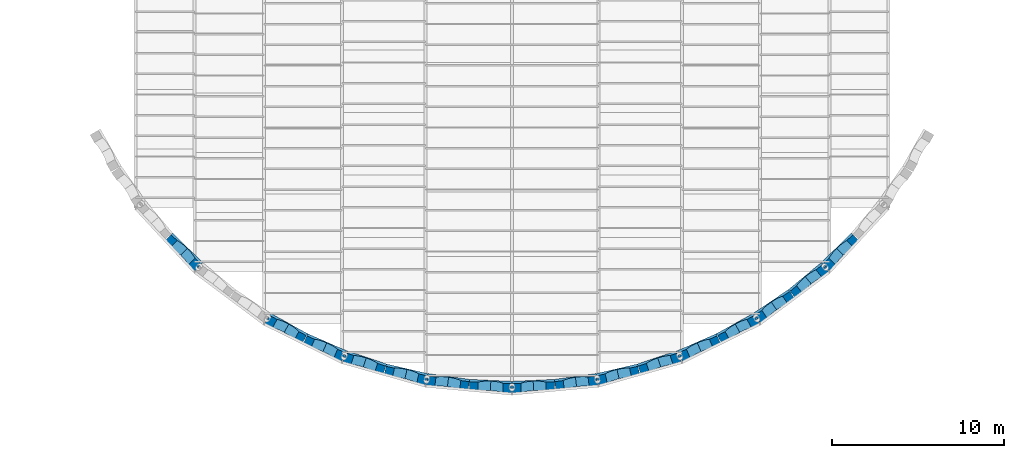
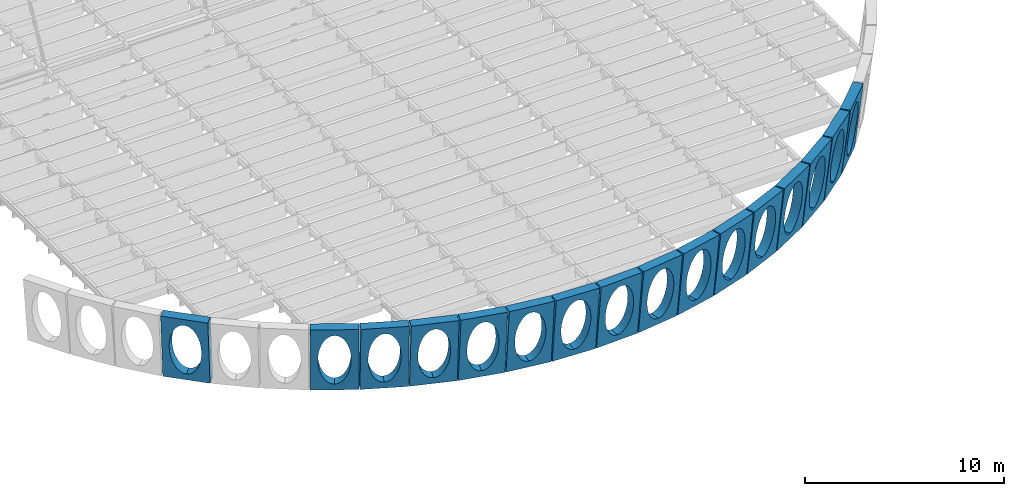
# One storey, part 27 of 47: 16 walls, 16 openings.
"""IFC4 building model written with IfcOpenShell, lengths in metres."""

from ifc_helpers import new_model, si_unit, direction, frame, origin, place, context, subcontext, project, spatial, polyline, outline, extrude, material, layer, layer_set, type_object, element, save


model = new_model("IFC4")

# Units and contexts
model_context = context("Model", 3, precision=1e-05, world=origin(), true_north=direction((0.0, 1.0)))
body_context = subcontext(model_context, "Body", "Model", "MODEL_VIEW")
ifc_project = project(units=[si_unit("LENGTHUNIT", "METRE"), si_unit("AREAUNIT", "SQUARE_METRE"), si_unit("VOLUMEUNIT", "CUBIC_METRE"), si_unit("PLANEANGLEUNIT", "RADIAN"), si_unit("MASSUNIT", "GRAM", prefix="KILO")], contexts=[model_context])

# Site, building, storey
site_placement = place(None, origin())
site = spatial("IfcSite", under=ifc_project, at=site_placement, CompositionType="ELEMENT")
building_placement = place(site_placement, origin())
building = spatial("IfcBuilding", under=site, at=building_placement, Name="Mawjan Specialist Oncology Clinic", CompositionType="ELEMENT")
storey_placement = place(building_placement, frame((0.0, 0.0, 9.5)))
storey = spatial("IfcBuildingStorey", under=building, at=storey_placement, Name="L02", CompositionType="ELEMENT", Elevation=9.5)

# Wall, opening
ifc_material = material(Name="Concrete C45/55", Category="concrete")
ifc_layer = layer(ifc_material, 0.550048828125, Name="Concrete C45/55", Category="concrete")
ifc_layer_set = layer_set([ifc_layer], Name="Concrete C45/55")
wall_type = type_object("IfcWallType", Name="EW-ARC550", PredefinedType="SOLIDWALL", material=ifc_layer_set)
wall_1_placement = place(storey_placement, frame((65.86767578125, 8.884521484375, 0.0), z_axis=(0.0, 0.0, 1.0), x_axis=(-0.711724189185, 0.702459022669, 0.0)))
wall_1 = element("IfcWall", 1, at=wall_1_placement, inside=storey, type_object=wall_type, Name="Curved Stone-Arc Wall L02 Chord 04", PredefinedType="SOLIDWALL", context=body_context, shape_type="SweptSolid", body=[
    extrude(outline(polyline([(-0.27490234375, 0.0), (0.27490234375, 0.0), (0.73095703125, 4.0), (0.1806640625, 4.0), (-0.27490234375, 0.0)])), frame((0.0, 0.0, 0.0), z_axis=(1.0, 0.0, 0.0), x_axis=(0.0, 1.0, 0.0)), (0.0, 0.0, 1.0), 2.45068359375),
])
opening_1_placement = place(wall_1_placement, origin())
element("IfcOpeningElement", 2, at=opening_1_placement, cuts=wall_1, Name="Elliptical sky opening 1", PredefinedType="OPENING", context=body_context, shape_type="SweptSolid", body=[
    extrude(outline(polyline([(2.065185546875, 2.0), (2.049072265625, 2.315185546875), (2.00146484375, 2.618408203125), (1.923828125, 2.897705078125), (1.8193359375, 3.142578125), (1.69189453125, 3.343505859375), (1.546875, 3.492919921875), (1.38916015625, 3.5849609375), (1.225341796875, 3.615966796875), (1.0615234375, 3.5849609375), (0.90380859375, 3.492919921875), (0.758544921875, 3.343505859375), (0.63134765625, 3.142578125), (0.52685546875, 2.897705078125), (0.44921875, 2.618408203125), (0.4013671875, 2.315185546875), (0.38525390625, 2.0), (0.4013671875, 1.684814453125), (0.44921875, 1.381591796875), (0.52685546875, 1.102294921875), (0.63134765625, 0.857421875), (0.758544921875, 0.656494140625), (0.90380859375, 0.507080078125), (1.0615234375, 0.4150390625), (1.225341796875, 0.384033203125), (1.38916015625, 0.4150390625), (1.546875, 0.507080078125), (1.69189453125, 0.656494140625), (1.8193359375, 0.857421875), (1.923828125, 1.102294921875), (2.00146484375, 1.381591796875), (2.049072265625, 1.684814453125), (2.065185546875, 2.0)])), frame((0.0, 0.750732421875, 0.0), z_axis=(0.0, -1.0, 0.0), x_axis=(1.0, 0.0, 0.0)), (0.0, 0.0, 1.0), 1.0458984375),
])

wall_2_placement = place(storey_placement, frame((72.008544921875, 4.7177734375, 0.0), z_axis=(0.0, 0.0, 1.0), x_axis=(-0.87568954387, 0.482874541426, 0.0)))
wall_2 = element("IfcWall", 3, at=wall_2_placement, inside=storey, type_object=wall_type, Name="Curved Stone-Arc Wall L02 Chord 07", PredefinedType="SOLIDWALL", context=body_context, shape_type="SweptSolid", body=[
    extrude(outline(polyline([(-0.27490234375, 0.0), (0.27490234375, 0.0), (0.73095703125, 4.0), (0.1806640625, 4.0), (-0.27490234375, 0.0)])), frame((0.0, 0.0, 0.0), z_axis=(1.0, 0.0, 0.0), x_axis=(0.0, 1.0, 0.0)), (0.0, 0.0, 1.0), 2.45068359375),
])
opening_2_placement = place(wall_2_placement, origin())
element("IfcOpeningElement", 4, at=opening_2_placement, cuts=wall_2, Name="Elliptical sky opening 1", PredefinedType="OPENING", context=body_context, shape_type="SweptSolid", body=[
    extrude(outline(polyline([(2.065185546875, 2.0), (2.049072265625, 2.315185546875), (2.00146484375, 2.618408203125), (1.923828125, 2.897705078125), (1.8193359375, 3.142578125), (1.69189453125, 3.343505859375), (1.546875, 3.492919921875), (1.38916015625, 3.5849609375), (1.225341796875, 3.615966796875), (1.0615234375, 3.5849609375), (0.90380859375, 3.492919921875), (0.758544921875, 3.343505859375), (0.63134765625, 3.142578125), (0.52685546875, 2.897705078125), (0.44921875, 2.618408203125), (0.4013671875, 2.315185546875), (0.38525390625, 2.0), (0.4013671875, 1.684814453125), (0.44921875, 1.381591796875), (0.52685546875, 1.102294921875), (0.63134765625, 0.857421875), (0.758544921875, 0.656494140625), (0.90380859375, 0.507080078125), (1.0615234375, 0.4150390625), (1.225341796875, 0.384033203125), (1.38916015625, 0.4150390625), (1.546875, 0.507080078125), (1.69189453125, 0.656494140625), (1.8193359375, 0.857421875), (1.923828125, 1.102294921875), (2.00146484375, 1.381591796875), (2.049072265625, 1.684814453125), (2.065185546875, 2.0)])), frame((0.0, 0.750732421875, 0.0), z_axis=(0.0, -1.0, 0.0), x_axis=(1.0, 0.0, 0.0)), (0.0, 0.0, 1.0), 1.0458984375),
])

wall_3_placement = place(storey_placement, frame((74.28076171875, 3.722412109375, 0.0), z_axis=(0.0, 0.0, 1.0), x_axis=(-0.916182482444, 0.400761349013, 0.0)))
wall_3 = element("IfcWall", 5, at=wall_3_placement, inside=storey, type_object=wall_type, Name="Curved Stone-Arc Wall L02 Chord 08", PredefinedType="SOLIDWALL", context=body_context, shape_type="SweptSolid", body=[
    extrude(outline(polyline([(-0.27490234375, 0.0), (0.27490234375, 0.0), (0.73095703125, 4.0), (0.1806640625, 4.0), (-0.27490234375, 0.0)])), frame((0.0, 0.0, 0.0), z_axis=(1.0, 0.0, 0.0), x_axis=(0.0, 1.0, 0.0)), (0.0, 0.0, 1.0), 2.45068359375),
])
opening_3_placement = place(wall_3_placement, origin())
element("IfcOpeningElement", 6, at=opening_3_placement, cuts=wall_3, Name="Elliptical sky opening 1", PredefinedType="OPENING", context=body_context, shape_type="SweptSolid", body=[
    extrude(outline(polyline([(2.065185546875, 2.0), (2.049072265625, 2.315185546875), (2.00146484375, 2.618408203125), (1.923828125, 2.897705078125), (1.8193359375, 3.142578125), (1.69189453125, 3.343505859375), (1.546875, 3.492919921875), (1.38916015625, 3.5849609375), (1.225341796875, 3.615966796875), (1.0615234375, 3.5849609375), (0.90380859375, 3.492919921875), (0.758544921875, 3.343505859375), (0.63134765625, 3.142578125), (0.52685546875, 2.897705078125), (0.44921875, 2.618408203125), (0.4013671875, 2.315185546875), (0.38525390625, 2.0), (0.4013671875, 1.684814453125), (0.44921875, 1.381591796875), (0.52685546875, 1.102294921875), (0.63134765625, 0.857421875), (0.758544921875, 0.656494140625), (0.90380859375, 0.507080078125), (1.0615234375, 0.4150390625), (1.225341796875, 0.384033203125), (1.38916015625, 0.4150390625), (1.546875, 0.507080078125), (1.69189453125, 0.656494140625), (1.8193359375, 0.857421875), (1.923828125, 1.102294921875), (2.00146484375, 1.381591796875), (2.049072265625, 1.684814453125), (2.065185546875, 2.0)])), frame((0.0, 0.750732421875, 0.0), z_axis=(0.0, -1.0, 0.0), x_axis=(1.0, 0.0, 0.0)), (0.0, 0.0, 1.0), 1.0458984375),
])

wall_4_placement = place(storey_placement, frame((76.634521484375, 2.939208984375, 0.0), z_axis=(0.0, 0.0, 1.0), x_axis=(-0.949021476584, 0.315211416325, 0.0)))
wall_4 = element("IfcWall", 7, at=wall_4_placement, inside=storey, type_object=wall_type, Name="Curved Stone-Arc Wall L02 Chord 09", PredefinedType="SOLIDWALL", context=body_context, shape_type="SweptSolid", body=[
    extrude(outline(polyline([(-0.27490234375, 0.0), (0.27490234375, 0.0), (0.73095703125, 4.0), (0.1806640625, 4.0), (-0.27490234375, 0.0)])), frame((0.0, 0.0, 0.0), z_axis=(1.0, 0.0, 0.0), x_axis=(0.0, 1.0, 0.0)), (0.0, 0.0, 1.0), 2.45068359375),
])
opening_4_placement = place(wall_4_placement, origin())
element("IfcOpeningElement", 8, at=opening_4_placement, cuts=wall_4, Name="Elliptical sky opening 1", PredefinedType="OPENING", context=body_context, shape_type="SweptSolid", body=[
    extrude(outline(polyline([(2.065185546875, 2.0), (2.049072265625, 2.315185546875), (2.00146484375, 2.618408203125), (1.923828125, 2.897705078125), (1.8193359375, 3.142578125), (1.69189453125, 3.343505859375), (1.546875, 3.492919921875), (1.38916015625, 3.5849609375), (1.225341796875, 3.615966796875), (1.0615234375, 3.5849609375), (0.90380859375, 3.492919921875), (0.758544921875, 3.343505859375), (0.63134765625, 3.142578125), (0.52685546875, 2.897705078125), (0.44921875, 2.618408203125), (0.4013671875, 2.315185546875), (0.38525390625, 2.0), (0.4013671875, 1.684814453125), (0.44921875, 1.381591796875), (0.52685546875, 1.102294921875), (0.63134765625, 0.857421875), (0.758544921875, 0.656494140625), (0.90380859375, 0.507080078125), (1.0615234375, 0.4150390625), (1.225341796875, 0.384033203125), (1.38916015625, 0.4150390625), (1.546875, 0.507080078125), (1.69189453125, 0.656494140625), (1.8193359375, 0.857421875), (1.923828125, 1.102294921875), (2.00146484375, 1.381591796875), (2.049072265625, 1.684814453125), (2.065185546875, 2.0)])), frame((0.0, 0.750732421875, 0.0), z_axis=(0.0, -1.0, 0.0), x_axis=(1.0, 0.0, 0.0)), (0.0, 0.0, 1.0), 1.0458984375),
])

wall_5_placement = place(storey_placement, frame((79.050048828125, 2.37451171875, 0.0), z_axis=(0.0, 0.0, 1.0), x_axis=(-0.973886748811, 0.227034359712, 0.0)))
wall_5 = element("IfcWall", 9, at=wall_5_placement, inside=storey, type_object=wall_type, Name="Curved Stone-Arc Wall L02 Chord 10", PredefinedType="SOLIDWALL", context=body_context, shape_type="SweptSolid", body=[
    extrude(outline(polyline([(-0.27490234375, 0.0), (0.27490234375, 0.0), (0.73095703125, 4.0), (0.1806640625, 4.0), (-0.27490234375, 0.0)])), frame((0.0, 0.0, 0.0), z_axis=(1.0, 0.0, 0.0), x_axis=(0.0, 1.0, 0.0)), (0.0, 0.0, 1.0), 2.45068359375),
])
opening_5_placement = place(wall_5_placement, origin())
element("IfcOpeningElement", 10, at=opening_5_placement, cuts=wall_5, Name="Elliptical sky opening 1", PredefinedType="OPENING", context=body_context, shape_type="SweptSolid", body=[
    extrude(outline(polyline([(2.065185546875, 2.0), (2.049072265625, 2.315185546875), (2.00146484375, 2.618408203125), (1.923828125, 2.897705078125), (1.8193359375, 3.142578125), (1.69189453125, 3.343505859375), (1.546875, 3.492919921875), (1.38916015625, 3.5849609375), (1.225341796875, 3.615966796875), (1.0615234375, 3.5849609375), (0.90380859375, 3.492919921875), (0.758544921875, 3.343505859375), (0.63134765625, 3.142578125), (0.52685546875, 2.897705078125), (0.44921875, 2.618408203125), (0.4013671875, 2.315185546875), (0.38525390625, 2.0), (0.4013671875, 1.684814453125), (0.44921875, 1.381591796875), (0.52685546875, 1.102294921875), (0.63134765625, 0.857421875), (0.758544921875, 0.656494140625), (0.90380859375, 0.507080078125), (1.0615234375, 0.4150390625), (1.225341796875, 0.384033203125), (1.38916015625, 0.4150390625), (1.546875, 0.507080078125), (1.69189453125, 0.656494140625), (1.8193359375, 0.857421875), (1.923828125, 1.102294921875), (2.00146484375, 1.381591796875), (2.049072265625, 1.684814453125), (2.065185546875, 2.0)])), frame((0.0, 0.750732421875, 0.0), z_axis=(0.0, -1.0, 0.0), x_axis=(1.0, 0.0, 0.0)), (0.0, 0.0, 1.0), 1.0458984375),
])

wall_6_placement = place(storey_placement, frame((81.507080078125, 2.033203125, 0.0), z_axis=(0.0, 0.0, 1.0), x_axis=(-0.990559650793, 0.137082377501, 0.0)))
wall_6 = element("IfcWall", 11, at=wall_6_placement, inside=storey, type_object=wall_type, Name="Curved Stone-Arc Wall L02 Chord 11", PredefinedType="SOLIDWALL", context=body_context, shape_type="SweptSolid", body=[
    extrude(outline(polyline([(-0.27490234375, 0.0), (0.27490234375, 0.0), (0.73095703125, 4.0), (0.1806640625, 4.0), (-0.27490234375, 0.0)])), frame((0.0, 0.0, 0.0), z_axis=(1.0, 0.0, 0.0), x_axis=(0.0, 1.0, 0.0)), (0.0, 0.0, 1.0), 2.45068359375),
])
opening_6_placement = place(wall_6_placement, origin())
element("IfcOpeningElement", 12, at=opening_6_placement, cuts=wall_6, Name="Elliptical sky opening 1", PredefinedType="OPENING", context=body_context, shape_type="SweptSolid", body=[
    extrude(outline(polyline([(2.065185546875, 2.0), (2.049072265625, 2.315185546875), (2.00146484375, 2.618408203125), (1.923828125, 2.897705078125), (1.8193359375, 3.142578125), (1.69189453125, 3.343505859375), (1.546875, 3.492919921875), (1.38916015625, 3.5849609375), (1.225341796875, 3.615966796875), (1.0615234375, 3.5849609375), (0.90380859375, 3.492919921875), (0.758544921875, 3.343505859375), (0.63134765625, 3.142578125), (0.52685546875, 2.897705078125), (0.44921875, 2.618408203125), (0.4013671875, 2.315185546875), (0.38525390625, 2.0), (0.4013671875, 1.684814453125), (0.44921875, 1.381591796875), (0.52685546875, 1.102294921875), (0.63134765625, 0.857421875), (0.758544921875, 0.656494140625), (0.90380859375, 0.507080078125), (1.0615234375, 0.4150390625), (1.225341796875, 0.384033203125), (1.38916015625, 0.4150390625), (1.546875, 0.507080078125), (1.69189453125, 0.656494140625), (1.8193359375, 0.857421875), (1.923828125, 1.102294921875), (2.00146484375, 1.381591796875), (2.049072265625, 1.684814453125), (2.065185546875, 2.0)])), frame((0.0, 0.750732421875, 0.0), z_axis=(0.0, -1.0, 0.0), x_axis=(1.0, 0.0, 0.0)), (0.0, 0.0, 1.0), 1.0458984375),
])

wall_7_placement = place(storey_placement, frame((83.985107421875, 1.918212890625, 0.0), z_axis=(0.0, 0.0, 1.0), x_axis=(-0.998949557474, 0.045823374196, 0.0)))
wall_7 = element("IfcWall", 13, at=wall_7_placement, inside=storey, type_object=wall_type, Name="Curved Stone-Arc Wall L02 Chord 12", PredefinedType="SOLIDWALL", context=body_context, shape_type="SweptSolid", body=[
    extrude(outline(polyline([(-0.27490234375, 0.0), (0.27490234375, 0.0), (0.73095703125, 4.0), (0.1806640625, 4.0), (-0.27490234375, 0.0)])), frame((0.0, 0.0, 0.0), z_axis=(1.0, 0.0, 0.0), x_axis=(0.0, 1.0, 0.0)), (0.0, 0.0, 1.0), 2.450927734375),
])
opening_7_placement = place(wall_7_placement, origin())
element("IfcOpeningElement", 14, at=opening_7_placement, cuts=wall_7, Name="Elliptical sky opening 1", PredefinedType="OPENING", context=body_context, shape_type="SweptSolid", body=[
    extrude(outline(polyline([(2.065185546875, 2.0), (2.049072265625, 2.315185546875), (2.00146484375, 2.618408203125), (1.923828125, 2.897705078125), (1.8193359375, 3.142578125), (1.69189453125, 3.343505859375), (1.546875, 3.492919921875), (1.38916015625, 3.5849609375), (1.225341796875, 3.615966796875), (1.0615234375, 3.5849609375), (0.90380859375, 3.492919921875), (0.758544921875, 3.343505859375), (0.63134765625, 3.142578125), (0.52685546875, 2.897705078125), (0.44921875, 2.618408203125), (0.4013671875, 2.315185546875), (0.38525390625, 2.0), (0.4013671875, 1.684814453125), (0.44921875, 1.381591796875), (0.52685546875, 1.102294921875), (0.63134765625, 0.857421875), (0.758544921875, 0.656494140625), (0.90380859375, 0.507080078125), (1.0615234375, 0.4150390625), (1.225341796875, 0.384033203125), (1.38916015625, 0.4150390625), (1.546875, 0.507080078125), (1.69189453125, 0.656494140625), (1.8193359375, 0.857421875), (1.923828125, 1.102294921875), (2.00146484375, 1.381591796875), (2.049072265625, 1.684814453125), (2.065185546875, 2.0)])), frame((0.0, 0.750732421875, 0.0), z_axis=(0.0, -1.0, 0.0), x_axis=(1.0, 0.0, 0.0)), (0.0, 0.0, 1.0), 1.0458984375),
])

wall_8_placement = place(storey_placement, frame((86.463134765625, 2.030517578125, 0.0), z_axis=(0.0, 0.0, 1.0), x_axis=(-0.998949557474, -0.045823374196, 0.0)))
wall_8 = element("IfcWall", 15, at=wall_8_placement, inside=storey, type_object=wall_type, Name="Curved Stone-Arc Wall L02 Chord 13", PredefinedType="SOLIDWALL", context=body_context, shape_type="SweptSolid", body=[
    extrude(outline(polyline([(-0.27490234375, 0.0), (0.27490234375, 0.0), (0.73095703125, 4.0), (0.1806640625, 4.0), (-0.27490234375, 0.0)])), frame((0.0, 0.0, 0.0), z_axis=(1.0, 0.0, 0.0), x_axis=(0.0, 1.0, 0.0)), (0.0, 0.0, 1.0), 2.450927734375),
])
opening_8_placement = place(wall_8_placement, origin())
element("IfcOpeningElement", 16, at=opening_8_placement, cuts=wall_8, Name="Elliptical sky opening 1", PredefinedType="OPENING", context=body_context, shape_type="SweptSolid", body=[
    extrude(outline(polyline([(2.065185546875, 2.0), (2.049072265625, 2.315185546875), (2.00146484375, 2.618408203125), (1.923828125, 2.897705078125), (1.8193359375, 3.142578125), (1.69189453125, 3.343505859375), (1.546875, 3.492919921875), (1.38916015625, 3.5849609375), (1.225341796875, 3.615966796875), (1.0615234375, 3.5849609375), (0.90380859375, 3.492919921875), (0.758544921875, 3.343505859375), (0.63134765625, 3.142578125), (0.52685546875, 2.897705078125), (0.44921875, 2.618408203125), (0.4013671875, 2.315185546875), (0.38525390625, 2.0), (0.4013671875, 1.684814453125), (0.44921875, 1.381591796875), (0.52685546875, 1.102294921875), (0.63134765625, 0.857421875), (0.758544921875, 0.656494140625), (0.90380859375, 0.507080078125), (1.0615234375, 0.4150390625), (1.225341796875, 0.384033203125), (1.38916015625, 0.4150390625), (1.546875, 0.507080078125), (1.69189453125, 0.656494140625), (1.8193359375, 0.857421875), (1.923828125, 1.102294921875), (2.00146484375, 1.381591796875), (2.049072265625, 1.684814453125), (2.065185546875, 2.0)])), frame((0.0, 0.750732421875, 0.0), z_axis=(0.0, -1.0, 0.0), x_axis=(1.0, 0.0, 0.0)), (0.0, 0.0, 1.0), 1.0458984375),
])

wall_9_placement = place(storey_placement, frame((88.92041015625, 2.369140625, 0.0), z_axis=(0.0, 0.0, 1.0), x_axis=(-0.990559650793, -0.137082377501, 0.0)))
wall_9 = element("IfcWall", 17, at=wall_9_placement, inside=storey, type_object=wall_type, Name="Curved Stone-Arc Wall L02 Chord 14", PredefinedType="SOLIDWALL", context=body_context, shape_type="SweptSolid", body=[
    extrude(outline(polyline([(-0.27490234375, 0.0), (0.27490234375, 0.0), (0.73095703125, 4.0), (0.1806640625, 4.0), (-0.27490234375, 0.0)])), frame((0.0, 0.0, 0.0), z_axis=(1.0, 0.0, 0.0), x_axis=(0.0, 1.0, 0.0)), (0.0, 0.0, 1.0), 2.45068359375),
])
opening_9_placement = place(wall_9_placement, origin())
element("IfcOpeningElement", 18, at=opening_9_placement, cuts=wall_9, Name="Elliptical sky opening 1", PredefinedType="OPENING", context=body_context, shape_type="SweptSolid", body=[
    extrude(outline(polyline([(2.065185546875, 2.0), (2.049072265625, 2.315185546875), (2.00146484375, 2.618408203125), (1.923828125, 2.897705078125), (1.8193359375, 3.142578125), (1.69189453125, 3.343505859375), (1.546875, 3.492919921875), (1.38916015625, 3.5849609375), (1.225341796875, 3.615966796875), (1.0615234375, 3.5849609375), (0.90380859375, 3.492919921875), (0.758544921875, 3.343505859375), (0.63134765625, 3.142578125), (0.52685546875, 2.897705078125), (0.44921875, 2.618408203125), (0.4013671875, 2.315185546875), (0.38525390625, 2.0), (0.4013671875, 1.684814453125), (0.44921875, 1.381591796875), (0.52685546875, 1.102294921875), (0.63134765625, 0.857421875), (0.758544921875, 0.656494140625), (0.90380859375, 0.507080078125), (1.0615234375, 0.4150390625), (1.225341796875, 0.384033203125), (1.38916015625, 0.4150390625), (1.546875, 0.507080078125), (1.69189453125, 0.656494140625), (1.8193359375, 0.857421875), (1.923828125, 1.102294921875), (2.00146484375, 1.381591796875), (2.049072265625, 1.684814453125), (2.065185546875, 2.0)])), frame((0.0, 0.750732421875, 0.0), z_axis=(0.0, -1.0, 0.0), x_axis=(1.0, 0.0, 0.0)), (0.0, 0.0, 1.0), 1.0458984375),
])

wall_10_placement = place(storey_placement, frame((91.336669921875, 2.930908203125, 0.0), z_axis=(0.0, 0.0, 1.0), x_axis=(-0.973886748811, -0.227034359712, 0.0)))
wall_10 = element("IfcWall", 19, at=wall_10_placement, inside=storey, type_object=wall_type, Name="Curved Stone-Arc Wall L02 Chord 15", PredefinedType="SOLIDWALL", context=body_context, shape_type="SweptSolid", body=[
    extrude(outline(polyline([(-0.27490234375, 0.0), (0.27490234375, 0.0), (0.73095703125, 4.0), (0.1806640625, 4.0), (-0.27490234375, 0.0)])), frame((0.0, 0.0, 0.0), z_axis=(1.0, 0.0, 0.0), x_axis=(0.0, 1.0, 0.0)), (0.0, 0.0, 1.0), 2.45068359375),
])
opening_10_placement = place(wall_10_placement, origin())
element("IfcOpeningElement", 20, at=opening_10_placement, cuts=wall_10, Name="Elliptical sky opening 1", PredefinedType="OPENING", context=body_context, shape_type="SweptSolid", body=[
    extrude(outline(polyline([(2.065185546875, 2.0), (2.049072265625, 2.315185546875), (2.00146484375, 2.618408203125), (1.923828125, 2.897705078125), (1.8193359375, 3.142578125), (1.69189453125, 3.343505859375), (1.546875, 3.492919921875), (1.38916015625, 3.5849609375), (1.225341796875, 3.615966796875), (1.0615234375, 3.5849609375), (0.90380859375, 3.492919921875), (0.758544921875, 3.343505859375), (0.63134765625, 3.142578125), (0.52685546875, 2.897705078125), (0.44921875, 2.618408203125), (0.4013671875, 2.315185546875), (0.38525390625, 2.0), (0.4013671875, 1.684814453125), (0.44921875, 1.381591796875), (0.52685546875, 1.102294921875), (0.63134765625, 0.857421875), (0.758544921875, 0.656494140625), (0.90380859375, 0.507080078125), (1.0615234375, 0.4150390625), (1.225341796875, 0.384033203125), (1.38916015625, 0.4150390625), (1.546875, 0.507080078125), (1.69189453125, 0.656494140625), (1.8193359375, 0.857421875), (1.923828125, 1.102294921875), (2.00146484375, 1.381591796875), (2.049072265625, 1.684814453125), (2.065185546875, 2.0)])), frame((0.0, 0.750732421875, 0.0), z_axis=(0.0, -1.0, 0.0), x_axis=(1.0, 0.0, 0.0)), (0.0, 0.0, 1.0), 1.0458984375),
])

wall_11_placement = place(storey_placement, frame((93.691162109375, 3.711669921875, 0.0), z_axis=(0.0, 0.0, 1.0), x_axis=(-0.949021476584, -0.315211416325, 0.0)))
wall_11 = element("IfcWall", 21, at=wall_11_placement, inside=storey, type_object=wall_type, Name="Curved Stone-Arc Wall L02 Chord 16", PredefinedType="SOLIDWALL", context=body_context, shape_type="SweptSolid", body=[
    extrude(outline(polyline([(-0.27490234375, 0.0), (0.27490234375, 0.0), (0.73095703125, 4.0), (0.1806640625, 4.0), (-0.27490234375, 0.0)])), frame((0.0, 0.0, 0.0), z_axis=(1.0, 0.0, 0.0), x_axis=(0.0, 1.0, 0.0)), (0.0, 0.0, 1.0), 2.45068359375),
])
opening_11_placement = place(wall_11_placement, origin())
element("IfcOpeningElement", 22, at=opening_11_placement, cuts=wall_11, Name="Elliptical sky opening 1", PredefinedType="OPENING", context=body_context, shape_type="SweptSolid", body=[
    extrude(outline(polyline([(2.065185546875, 2.0), (2.049072265625, 2.315185546875), (2.00146484375, 2.618408203125), (1.923828125, 2.897705078125), (1.8193359375, 3.142578125), (1.69189453125, 3.343505859375), (1.546875, 3.492919921875), (1.38916015625, 3.5849609375), (1.225341796875, 3.615966796875), (1.0615234375, 3.5849609375), (0.90380859375, 3.492919921875), (0.758544921875, 3.343505859375), (0.63134765625, 3.142578125), (0.52685546875, 2.897705078125), (0.44921875, 2.618408203125), (0.4013671875, 2.315185546875), (0.38525390625, 2.0), (0.4013671875, 1.684814453125), (0.44921875, 1.381591796875), (0.52685546875, 1.102294921875), (0.63134765625, 0.857421875), (0.758544921875, 0.656494140625), (0.90380859375, 0.507080078125), (1.0615234375, 0.4150390625), (1.225341796875, 0.384033203125), (1.38916015625, 0.4150390625), (1.546875, 0.507080078125), (1.69189453125, 0.656494140625), (1.8193359375, 0.857421875), (1.923828125, 1.102294921875), (2.00146484375, 1.381591796875), (2.049072265625, 1.684814453125), (2.065185546875, 2.0)])), frame((0.0, 0.750732421875, 0.0), z_axis=(0.0, -1.0, 0.0), x_axis=(1.0, 0.0, 0.0)), (0.0, 0.0, 1.0), 1.0458984375),
])

wall_12_placement = place(storey_placement, frame((95.964599609375, 4.70458984375, 0.0), z_axis=(0.0, 0.0, 1.0), x_axis=(-0.916182482444, -0.400761349013, 0.0)))
wall_12 = element("IfcWall", 23, at=wall_12_placement, inside=storey, type_object=wall_type, Name="Curved Stone-Arc Wall L02 Chord 17", PredefinedType="SOLIDWALL", context=body_context, shape_type="SweptSolid", body=[
    extrude(outline(polyline([(-0.27490234375, 0.0), (0.27490234375, 0.0), (0.73095703125, 4.0), (0.1806640625, 4.0), (-0.27490234375, 0.0)])), frame((0.0, 0.0, 0.0), z_axis=(1.0, 0.0, 0.0), x_axis=(0.0, 1.0, 0.0)), (0.0, 0.0, 1.0), 2.45068359375),
])
opening_12_placement = place(wall_12_placement, origin())
element("IfcOpeningElement", 24, at=opening_12_placement, cuts=wall_12, Name="Elliptical sky opening 1", PredefinedType="OPENING", context=body_context, shape_type="SweptSolid", body=[
    extrude(outline(polyline([(2.065185546875, 2.0), (2.049072265625, 2.315185546875), (2.00146484375, 2.618408203125), (1.923828125, 2.897705078125), (1.8193359375, 3.142578125), (1.69189453125, 3.343505859375), (1.546875, 3.492919921875), (1.38916015625, 3.5849609375), (1.225341796875, 3.615966796875), (1.0615234375, 3.5849609375), (0.90380859375, 3.492919921875), (0.758544921875, 3.343505859375), (0.63134765625, 3.142578125), (0.52685546875, 2.897705078125), (0.44921875, 2.618408203125), (0.4013671875, 2.315185546875), (0.38525390625, 2.0), (0.4013671875, 1.684814453125), (0.44921875, 1.381591796875), (0.52685546875, 1.102294921875), (0.63134765625, 0.857421875), (0.758544921875, 0.656494140625), (0.90380859375, 0.507080078125), (1.0615234375, 0.4150390625), (1.225341796875, 0.384033203125), (1.38916015625, 0.4150390625), (1.546875, 0.507080078125), (1.69189453125, 0.656494140625), (1.8193359375, 0.857421875), (1.923828125, 1.102294921875), (2.00146484375, 1.381591796875), (2.049072265625, 1.684814453125), (2.065185546875, 2.0)])), frame((0.0, 0.750732421875, 0.0), z_axis=(0.0, -1.0, 0.0), x_axis=(1.0, 0.0, 0.0)), (0.0, 0.0, 1.0), 1.0458984375),
])

wall_13_placement = place(storey_placement, frame((98.137451171875, 5.901123046875, 0.0), z_axis=(0.0, 0.0, 1.0), x_axis=(-0.87568954387, -0.482874541426, 0.0)))
wall_13 = element("IfcWall", 25, at=wall_13_placement, inside=storey, type_object=wall_type, Name="Curved Stone-Arc Wall L02 Chord 18", PredefinedType="SOLIDWALL", context=body_context, shape_type="SweptSolid", body=[
    extrude(outline(polyline([(-0.27490234375, 0.0), (0.27490234375, 0.0), (0.73095703125, 4.0), (0.1806640625, 4.0), (-0.27490234375, 0.0)])), frame((0.0, 0.0, 0.0), z_axis=(1.0, 0.0, 0.0), x_axis=(0.0, 1.0, 0.0)), (0.0, 0.0, 1.0), 2.45068359375),
])
opening_13_placement = place(wall_13_placement, origin())
element("IfcOpeningElement", 26, at=opening_13_placement, cuts=wall_13, Name="Elliptical sky opening 1", PredefinedType="OPENING", context=body_context, shape_type="SweptSolid", body=[
    extrude(outline(polyline([(2.065185546875, 2.0), (2.049072265625, 2.315185546875), (2.00146484375, 2.618408203125), (1.923828125, 2.897705078125), (1.8193359375, 3.142578125), (1.69189453125, 3.343505859375), (1.546875, 3.492919921875), (1.38916015625, 3.5849609375), (1.225341796875, 3.615966796875), (1.0615234375, 3.5849609375), (0.90380859375, 3.492919921875), (0.758544921875, 3.343505859375), (0.63134765625, 3.142578125), (0.52685546875, 2.897705078125), (0.44921875, 2.618408203125), (0.4013671875, 2.315185546875), (0.38525390625, 2.0), (0.4013671875, 1.684814453125), (0.44921875, 1.381591796875), (0.52685546875, 1.102294921875), (0.63134765625, 0.857421875), (0.758544921875, 0.656494140625), (0.90380859375, 0.507080078125), (1.0615234375, 0.4150390625), (1.225341796875, 0.384033203125), (1.38916015625, 0.4150390625), (1.546875, 0.507080078125), (1.69189453125, 0.656494140625), (1.8193359375, 0.857421875), (1.923828125, 1.102294921875), (2.00146484375, 1.381591796875), (2.049072265625, 1.684814453125), (2.065185546875, 2.0)])), frame((0.0, 0.750732421875, 0.0), z_axis=(0.0, -1.0, 0.0), x_axis=(1.0, 0.0, 0.0)), (0.0, 0.0, 1.0), 1.0458984375),
])

wall_14_placement = place(storey_placement, frame((100.191650390625, 7.291748046875, 0.0), z_axis=(0.0, 0.0, 1.0), x_axis=(-0.827842582247, -0.560960479017, 0.0)))
wall_14 = element("IfcWall", 27, at=wall_14_placement, inside=storey, type_object=wall_type, Name="Curved Stone-Arc Wall L02 Chord 19", PredefinedType="SOLIDWALL", context=body_context, shape_type="SweptSolid", body=[
    extrude(outline(polyline([(-0.27490234375, 0.0), (0.27490234375, 0.0), (0.73095703125, 4.0), (0.1806640625, 4.0), (-0.27490234375, 0.0)])), frame((0.0, 0.0, 0.0), z_axis=(1.0, 0.0, 0.0), x_axis=(0.0, 1.0, 0.0)), (0.0, 0.0, 1.0), 2.45068359375),
])
opening_14_placement = place(wall_14_placement, origin())
element("IfcOpeningElement", 28, at=opening_14_placement, cuts=wall_14, Name="Elliptical sky opening 1", PredefinedType="OPENING", context=body_context, shape_type="SweptSolid", body=[
    extrude(outline(polyline([(2.065185546875, 2.0), (2.049072265625, 2.315185546875), (2.00146484375, 2.618408203125), (1.923828125, 2.897705078125), (1.8193359375, 3.142578125), (1.69189453125, 3.343505859375), (1.546875, 3.492919921875), (1.38916015625, 3.5849609375), (1.225341796875, 3.615966796875), (1.0615234375, 3.5849609375), (0.90380859375, 3.492919921875), (0.758544921875, 3.343505859375), (0.63134765625, 3.142578125), (0.52685546875, 2.897705078125), (0.44921875, 2.618408203125), (0.4013671875, 2.315185546875), (0.38525390625, 2.0), (0.4013671875, 1.684814453125), (0.44921875, 1.381591796875), (0.52685546875, 1.102294921875), (0.63134765625, 0.857421875), (0.758544921875, 0.656494140625), (0.90380859375, 0.507080078125), (1.0615234375, 0.4150390625), (1.225341796875, 0.384033203125), (1.38916015625, 0.4150390625), (1.546875, 0.507080078125), (1.69189453125, 0.656494140625), (1.8193359375, 0.857421875), (1.923828125, 1.102294921875), (2.00146484375, 1.381591796875), (2.049072265625, 1.684814453125), (2.065185546875, 2.0)])), frame((0.0, 0.750732421875, 0.0), z_axis=(0.0, -1.0, 0.0), x_axis=(1.0, 0.0, 0.0)), (0.0, 0.0, 1.0), 1.0458984375),
])

wall_15_placement = place(storey_placement, frame((102.110107421875, 8.8642578125, 0.0), z_axis=(0.0, 0.0, 1.0), x_axis=(-0.773033287007, -0.634365460266, 0.0)))
wall_15 = element("IfcWall", 29, at=wall_15_placement, inside=storey, type_object=wall_type, Name="Curved Stone-Arc Wall L02 Chord 20", PredefinedType="SOLIDWALL", context=body_context, shape_type="SweptSolid", body=[
    extrude(outline(polyline([(-0.27490234375, 0.0), (0.27490234375, 0.0), (0.73095703125, 4.0), (0.1806640625, 4.0), (-0.27490234375, 0.0)])), frame((0.0, 0.0, 0.0), z_axis=(1.0, 0.0, 0.0), x_axis=(0.0, 1.0, 0.0)), (0.0, 0.0, 1.0), 2.45068359375),
])
opening_15_placement = place(wall_15_placement, origin())
element("IfcOpeningElement", 30, at=opening_15_placement, cuts=wall_15, Name="Elliptical sky opening 1", PredefinedType="OPENING", context=body_context, shape_type="SweptSolid", body=[
    extrude(outline(polyline([(2.065185546875, 2.0), (2.049072265625, 2.315185546875), (2.00146484375, 2.618408203125), (1.923828125, 2.897705078125), (1.8193359375, 3.142578125), (1.69189453125, 3.343505859375), (1.546875, 3.492919921875), (1.38916015625, 3.5849609375), (1.225341796875, 3.615966796875), (1.0615234375, 3.5849609375), (0.90380859375, 3.492919921875), (0.758544921875, 3.343505859375), (0.63134765625, 3.142578125), (0.52685546875, 2.897705078125), (0.44921875, 2.618408203125), (0.4013671875, 2.315185546875), (0.38525390625, 2.0), (0.4013671875, 1.684814453125), (0.44921875, 1.381591796875), (0.52685546875, 1.102294921875), (0.63134765625, 0.857421875), (0.758544921875, 0.656494140625), (0.90380859375, 0.507080078125), (1.0615234375, 0.4150390625), (1.225341796875, 0.384033203125), (1.38916015625, 0.4150390625), (1.546875, 0.507080078125), (1.69189453125, 0.656494140625), (1.8193359375, 0.857421875), (1.923828125, 1.102294921875), (2.00146484375, 1.381591796875), (2.049072265625, 1.684814453125), (2.065185546875, 2.0)])), frame((0.0, 0.750732421875, 0.0), z_axis=(0.0, -1.0, 0.0), x_axis=(1.0, 0.0, 0.0)), (0.0, 0.0, 1.0), 1.0458984375),
])

wall_16_placement = place(storey_placement, frame((103.87646484375, 10.60595703125, 0.0), z_axis=(0.0, 0.0, 1.0), x_axis=(-0.711724189185, -0.702459022669, 0.0)))
wall_16 = element("IfcWall", 31, at=wall_16_placement, inside=storey, type_object=wall_type, Name="Curved Stone-Arc Wall L02 Chord 21", PredefinedType="SOLIDWALL", context=body_context, shape_type="SweptSolid", body=[
    extrude(outline(polyline([(-0.27490234375, 0.0), (0.27490234375, 0.0), (0.73095703125, 4.0), (0.1806640625, 4.0), (-0.27490234375, 0.0)])), frame((0.0, 0.0, 0.0), z_axis=(1.0, 0.0, 0.0), x_axis=(0.0, 1.0, 0.0)), (0.0, 0.0, 1.0), 2.45068359375),
])
opening_16_placement = place(wall_16_placement, origin())
element("IfcOpeningElement", 32, at=opening_16_placement, cuts=wall_16, Name="Elliptical sky opening 1", PredefinedType="OPENING", context=body_context, shape_type="SweptSolid", body=[
    extrude(outline(polyline([(2.065185546875, 2.0), (2.049072265625, 2.315185546875), (2.00146484375, 2.618408203125), (1.923828125, 2.897705078125), (1.8193359375, 3.142578125), (1.69189453125, 3.343505859375), (1.546875, 3.492919921875), (1.38916015625, 3.5849609375), (1.225341796875, 3.615966796875), (1.0615234375, 3.5849609375), (0.90380859375, 3.492919921875), (0.758544921875, 3.343505859375), (0.63134765625, 3.142578125), (0.52685546875, 2.897705078125), (0.44921875, 2.618408203125), (0.4013671875, 2.315185546875), (0.38525390625, 2.0), (0.4013671875, 1.684814453125), (0.44921875, 1.381591796875), (0.52685546875, 1.102294921875), (0.63134765625, 0.857421875), (0.758544921875, 0.656494140625), (0.90380859375, 0.507080078125), (1.0615234375, 0.4150390625), (1.225341796875, 0.384033203125), (1.38916015625, 0.4150390625), (1.546875, 0.507080078125), (1.69189453125, 0.656494140625), (1.8193359375, 0.857421875), (1.923828125, 1.102294921875), (2.00146484375, 1.381591796875), (2.049072265625, 1.684814453125), (2.065185546875, 2.0)])), frame((0.0, 0.750732421875, 0.0), z_axis=(0.0, -1.0, 0.0), x_axis=(1.0, 0.0, 0.0)), (0.0, 0.0, 1.0), 1.0458984375),
])

save(model, "model.ifc")
